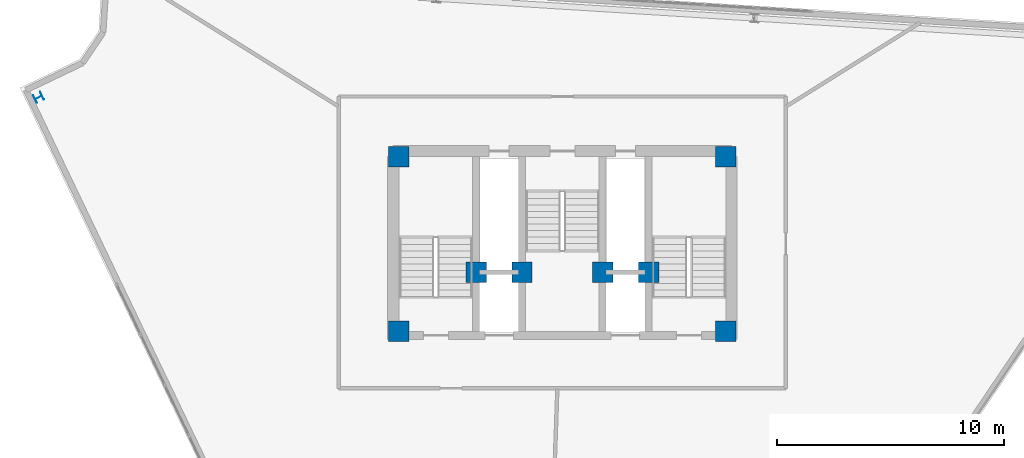
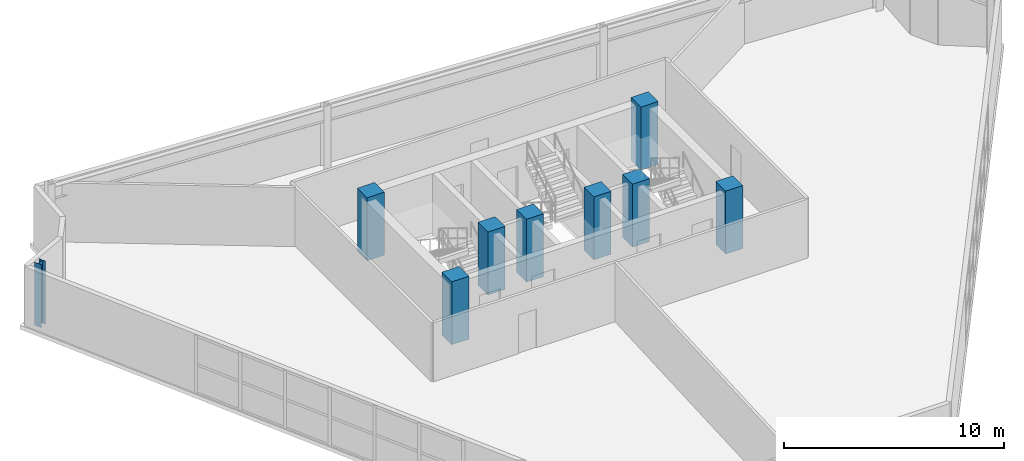
# One storey, part 1 of 8: 9 columns.
"""IFC4 building model written with IfcOpenShell, lengths in metres."""

from ifc_helpers import new_model, si_unit, direction, frame, origin, origin_2d, place, context, subcontext, project, spatial, rectangle, i_section, extrude, material, material_profile, profile_set, type_object, element, save


model = new_model("IFC4")

# Units and contexts
model_context = context("Model", 3, precision=1e-05, world=origin(), true_north=direction((0.0, 1.0)))
body_context = subcontext(model_context, "Body", "Model", "MODEL_VIEW")
ifc_project = project(units=[si_unit("LENGTHUNIT", "METRE"), si_unit("AREAUNIT", "SQUARE_METRE"), si_unit("VOLUMEUNIT", "CUBIC_METRE"), si_unit("PLANEANGLEUNIT", "RADIAN"), si_unit("MASSUNIT", "GRAM", prefix="KILO")], contexts=[model_context])

# Site, building, storey
site_placement = place(None, origin())
site = spatial("IfcSite", under=ifc_project, at=site_placement, CompositionType="ELEMENT")
building_placement = place(site_placement, origin())
building = spatial("IfcBuilding", under=site, at=building_placement, Name="Apsidion Concourse Tower", CompositionType="ELEMENT")
storey_placement = place(building_placement, frame((0.0, 0.0, 336.0)))
storey = spatial("IfcBuildingStorey", under=building, at=storey_placement, Name="L79", CompositionType="ELEMENT", Elevation=336.0)

# Columns
ifc_material_1 = material(Name="Concrete C50/60", Category="concrete")
ifc_material_profile_1 = material_profile(ifc_material_1, rectangle(XDim=0.89990234375, YDim=0.89990234375, at=origin_2d()), Name="RC 900x900")
ifc_profile_set_1 = profile_set([ifc_material_profile_1], Name="Concrete C50/60")
column_type_1 = type_object("IfcColumnType", Name="COL-RC-900", PredefinedType="COLUMN", material=ifc_profile_set_1)
for number, where, z_axis, x_axis, name in (
    (1, (7.199951171875, 1.449951171875, 0.0), (0.0, 0.0, 1.0), (1.0, 0.0, 0.0), "L79 Core Super-Column SC3"),
    (2, (7.199951171875, 9.14990234375, 0.0), (0.0, 0.0, 1.0), (1.0, 0.0, 0.0), "L79 Core Super-Column SC4"),
    (3, (-7.199951171875, 9.14990234375, 0.0), (0.0, 0.0, 1.0), (1.0, 0.0, 0.0), "L79 Core Super-Column SC5"),
    (4, (-7.199951171875, 1.449951171875, 0.0), (0.0, 0.0, 1.0), (1.0, 0.0, 0.0), "L79 Core Super-Column SC6"),
    (5, (-3.800048828125, 4.050048828125, 0.0), (0.0, 0.0, 1.0), (1.0, 0.0, 0.0), "L79 Core Super-Column CC1"),
    (6, (3.800048828125, 4.050048828125, 0.0), (0.0, 0.0, 1.0), (1.0, 0.0, 0.0), "L79 Core Super-Column CC2"),
    (7, (-1.77490234375, 4.050048828125, 0.0), (0.0, 0.0, 1.0), (1.0, 0.0, 0.0), "L79 Core Super-Column CC3"),
    (8, (1.77490234375, 4.050048828125, 0.0), (0.0, 0.0, 1.0), (1.0, 0.0, 0.0), "L79 Core Super-Column CC4"),
):
    element("IfcColumn", number, at=place(storey_placement, frame(where, z_axis=z_axis, x_axis=x_axis)), inside=storey, type_object=column_type_1, Name=name, PredefinedType="COLUMN", context=body_context, shape_type="SweptSolid", body=[
        extrude(rectangle(XDim=0.89990234375, YDim=0.89990234375, at=origin_2d()), origin(), (0.0, 0.0, 1.0), 3.5),
    ])
ifc_material_2 = material(Name="Structural steel ASTM A992 Grade 50", Category="steel")
ifc_material_profile_2 = material_profile(ifc_material_2, i_section(OverallWidth=0.367919921875, OverallDepth=0.35595703125, WebThickness=0.01123046875, FlangeThickness=0.01806640625, at=origin_2d()), Name="W14X90")
ifc_profile_set_2 = profile_set([ifc_material_profile_2], Name="Structural steel ASTM A992 Grade 50")
column_type_2 = type_object("IfcColumnType", Name="COL-W14-90", PredefinedType="COLUMN", material=ifc_profile_set_2)
column_placement = place(storey_placement, frame((-23.0732421875, 11.758544921875, 0.0), z_axis=(0.0, 0.0, 1.0), x_axis=(-0.431298587031, 0.902209248913, 0.0)))
element("IfcColumn", 9, at=column_placement, inside=storey, type_object=column_type_2, Name="L79 Rotated Perimeter Column PC01", PredefinedType="COLUMN", context=body_context, shape_type="SweptSolid", body=[
    extrude(i_section(OverallWidth=0.367919921875, OverallDepth=0.35595703125, WebThickness=0.01123046875, FlangeThickness=0.01806640625, at=origin_2d()), origin(), (0.0, 0.0, 1.0), 3.5),
])

save(model, "model.ifc")
